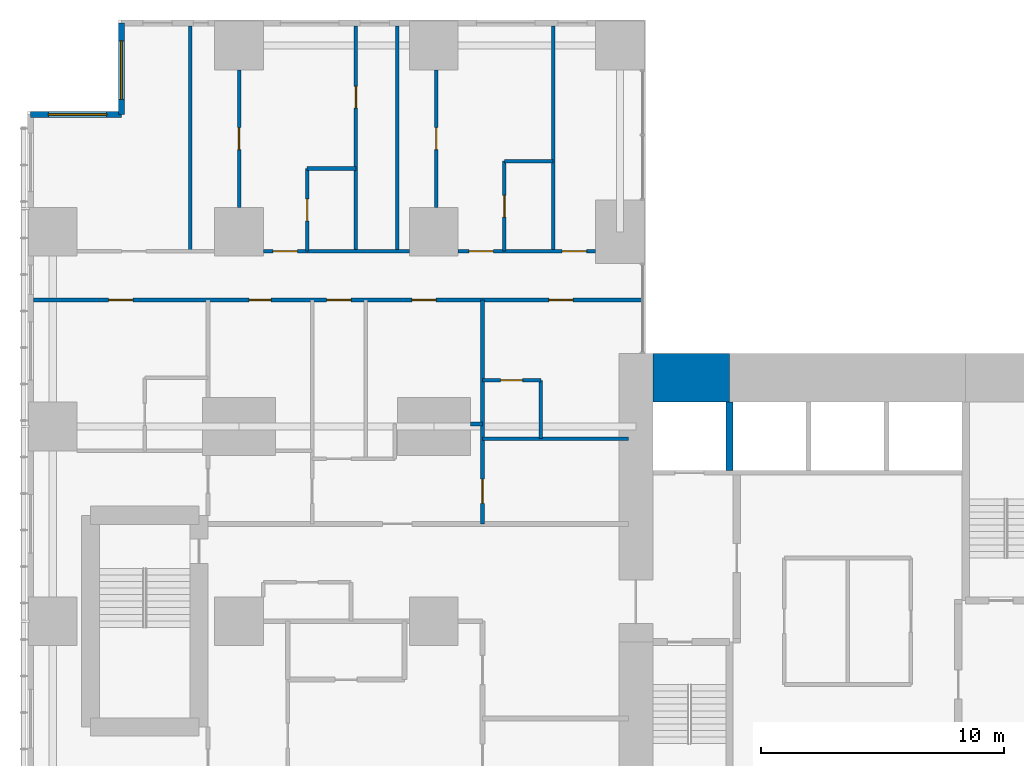
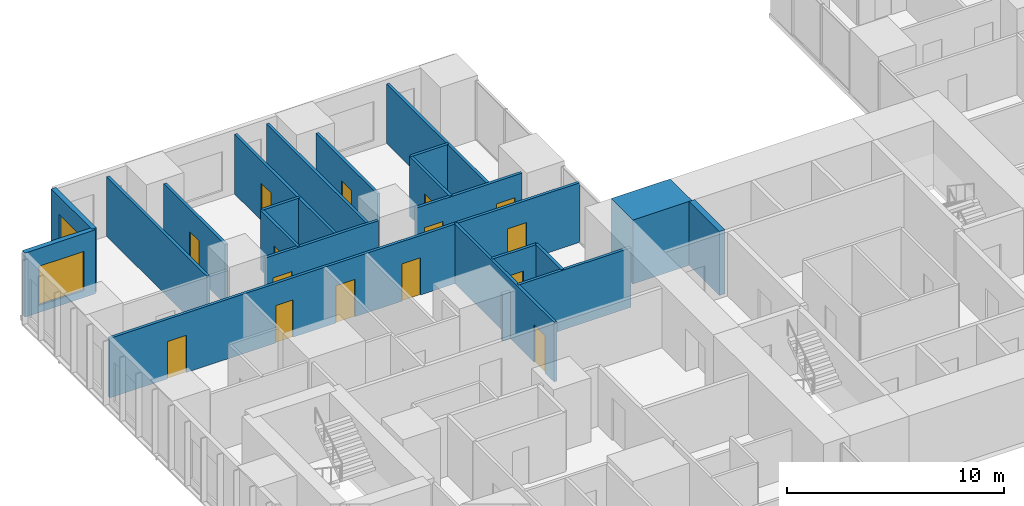
# One storey, part 17 of 21: 22 walls, 15 doors, 2 windows, 17 openings.
"""IFC4 building model written with IfcOpenShell, lengths in metres."""

from ifc_helpers import new_model, si_unit, direction, frame, frame_2d, origin, place, context, subcontext, project, spatial, rectangle, extrude, material, layer, layer_set, type_object, element, fill, save


model = new_model("IFC4")

# Units and contexts
model_context = context("Model", 3, precision=1e-05, world=origin(), true_north=direction((0.0, 1.0)))
body_context = subcontext(model_context, "Body", "Model", "MODEL_VIEW")
ifc_project = project(units=[si_unit("LENGTHUNIT", "METRE"), si_unit("AREAUNIT", "SQUARE_METRE"), si_unit("VOLUMEUNIT", "CUBIC_METRE"), si_unit("PLANEANGLEUNIT", "RADIAN"), si_unit("MASSUNIT", "GRAM", prefix="KILO")], contexts=[model_context])

# Site, building, storey
site_placement = place(None, origin())
site = spatial("IfcSite", under=ifc_project, at=site_placement, CompositionType="ELEMENT")
building_placement = place(site_placement, origin())
building = spatial("IfcBuilding", under=site, at=building_placement, Name="Cleftline Residences", CompositionType="ELEMENT")
storey_placement = place(building_placement, frame((0.0, 0.0, 125.0)))
storey = spatial("IfcBuildingStorey", under=building, at=storey_placement, Name="L32", CompositionType="ELEMENT", Elevation=125.0)

# Walls
ifc_material_1 = material(Name="Concrete B70", Category="concrete")
ifc_layer_1 = layer(ifc_material_1, 2.0)
ifc_layer_set_1 = layer_set([ifc_layer_1], Name="CORE WALL 2000")
wall_type_1 = type_object("IfcWallType", Name="CORE WALL 2000", PredefinedType="SHEAR", material=ifc_layer_set_1)
wall_1_placement = place(storey_placement, frame((25.0, 34.0, 0.0), z_axis=(0.0, 0.0, 1.0), x_axis=(1.0, 0.0, 0.0)))
element("IfcWall", 1, at=wall_1_placement, inside=storey, type_object=wall_type_1, Name="Core wall N1", PredefinedType="SHEAR", context=body_context, shape_type="SweptSolid", body=[
    extrude(rectangle(XDim=3.14990234375, YDim=2.0, at=frame_2d((1.574951171875, 0.0))), origin(), (0.0, 0.0, 1.0), 3.60009765625),
])
ifc_material_2 = material(Name="Concrete B70", Category="concrete")
ifc_layer_2 = layer(ifc_material_2, 0.300048828125)
ifc_layer_set_2 = layer_set([ifc_layer_2], Name="CORE WALL 300")
wall_type_2 = type_object("IfcWallType", Name="CORE WALL 300", PredefinedType="SHEAR", material=ifc_layer_set_2)
wall_2_placement = place(storey_placement, frame((28.14990234375, 30.199951171875, 0.0), z_axis=(0.0, 0.0, 1.0), x_axis=(0.0, 1.0, 0.0)))
element("IfcWall", 2, at=wall_2_placement, inside=storey, type_object=wall_type_2, Name="Lift shaft wall", PredefinedType="SHEAR", context=body_context, shape_type="SweptSolid", body=[
    extrude(rectangle(XDim=2.800048828125, YDim=0.300048828125, at=frame_2d((1.39990234375, 0.0))), origin(), (0.0, 0.0, 1.0), 3.60009765625),
])

# Wall, opening, window
ifc_material_3 = material(Name="Rendered reinforced concrete blockwork", Category="masonry")
ifc_layer_3 = layer(ifc_material_3, 0.25)
ifc_layer_set_3 = layer_set([ifc_layer_3], Name="EXTERNAL WALL 250")
wall_type_3 = type_object("IfcWallType", Name="EXTERNAL WALL 250", PredefinedType="SOLIDWALL", material=ifc_layer_set_3)
wall_3_placement = place(storey_placement, frame((3.175048828125, 48.574951171875, 0.0), z_axis=(0.0, 0.0, 1.0), x_axis=(0.0, -1.0, 0.0)))
wall_3 = element("IfcWall", 3, at=wall_3_placement, inside=storey, type_object=wall_type_3, Name="External wall", PredefinedType="SOLIDWALL", context=body_context, shape_type="SweptSolid", body=[
    extrude(rectangle(XDim=3.75, YDim=0.25, at=frame_2d((1.875, 0.0))), origin(), (0.0, 0.0, 1.0), 3.60009765625),
])
opening_1_placement = place(wall_3_placement, frame((0.737548828125, 0.0, 0.39990234375)))
opening_1 = element("IfcOpeningElement", 4, at=opening_1_placement, cuts=wall_3, Name="Opening W12", PredefinedType="OPENING", context=body_context, shape_type="SweptSolid", body=[
    extrude(rectangle(XDim=2.39990234375, YDim=2.199951171875, at=frame_2d((1.199951171875, 1.10009765625))), frame((0.0, 0.135009765625, 0.0), z_axis=(0.0, -1.0, 0.0), x_axis=(1.0, 0.0, 0.0)), (0.0, 0.0, 1.0), 0.27001953125),
])
ifc_material_4 = material(Name="Aluminium frame, clear double glazing", Category="aluminium")
window_type = type_object("IfcWindowType", Name="WINDOW 2400X2200", PartitioningType="DOUBLE_PANEL_VERTICAL", PredefinedType="WINDOW", material=ifc_material_4)
window_1_placement = place(opening_1_placement, origin())
window_1 = element("IfcWindow", 5, at=window_1_placement, inside=storey, type_object=window_type, Name="Window", OverallHeight=2.199951171875, OverallWidth=2.39990234375, PartitioningType="SINGLE_PANEL", PredefinedType="WINDOW", context=body_context, shape_type="SweptSolid", body=[
    extrude(rectangle(XDim=2.39990234375, YDim=2.199951171875, at=frame_2d((1.199951171875, 1.10009765625))), frame((0.0, 0.030029296875, 0.0), z_axis=(0.0, -1.0, 0.0), x_axis=(1.0, 0.0, 0.0)), (0.0, 0.0, 1.0), 0.06005859375),
])
fill(opening_1, window_1)

wall_4_placement = place(storey_placement, frame((3.175048828125, 44.824951171875, 0.0), z_axis=(0.0, 0.0, 1.0), x_axis=(-1.0, 0.0, 0.0)))
wall_4 = element("IfcWall", 6, at=wall_4_placement, inside=storey, type_object=wall_type_3, Name="External wall", PredefinedType="SOLIDWALL", context=body_context, shape_type="SweptSolid", body=[
    extrude(rectangle(XDim=3.75, YDim=0.25, at=frame_2d((1.875, 0.0))), origin(), (0.0, 0.0, 1.0), 3.60009765625),
])
opening_2_placement = place(wall_4_placement, frame((0.612548828125, 0.0, 0.39990234375)))
opening_2 = element("IfcOpeningElement", 7, at=opening_2_placement, cuts=wall_4, Name="Opening W12", PredefinedType="OPENING", context=body_context, shape_type="SweptSolid", body=[
    extrude(rectangle(XDim=2.39990234375, YDim=2.199951171875, at=frame_2d((1.199951171875, 1.10009765625))), frame((0.0, 0.135009765625, 0.0), z_axis=(0.0, -1.0, 0.0), x_axis=(1.0, 0.0, 0.0)), (0.0, 0.0, 1.0), 0.27001953125),
])
window_2_placement = place(opening_2_placement, origin())
window_2 = element("IfcWindow", 8, at=window_2_placement, inside=storey, type_object=window_type, Name="Window", OverallHeight=2.199951171875, OverallWidth=2.39990234375, PartitioningType="SINGLE_PANEL", PredefinedType="WINDOW", context=body_context, shape_type="SweptSolid", body=[
    extrude(rectangle(XDim=2.39990234375, YDim=2.199951171875, at=frame_2d((1.199951171875, 1.10009765625))), frame((0.0, 0.030029296875, 0.0), z_axis=(0.0, -1.0, 0.0), x_axis=(1.0, 0.0, 0.0)), (0.0, 0.0, 1.0), 0.06005859375),
])
fill(opening_2, window_2)

# Walls
ifc_material_5 = material(Name="Gypsum board on steel studs", Category="steel")
ifc_layer_4 = layer(ifc_material_5, 0.14990234375)
ifc_layer_set_4 = layer_set([ifc_layer_4], Name="PARTITION 150")
wall_type_4 = type_object("IfcWallType", Name="PARTITION 150", PredefinedType="PARTITIONING", material=ifc_layer_set_4)
wall_5_placement = place(storey_placement, frame((18.0, 31.5, 0.0), z_axis=(0.0, 0.0, 1.0), x_axis=(1.0, 0.0, 0.0)))
element("IfcWall", 9, at=wall_5_placement, inside=storey, type_object=wall_type_4, Name="Partition", PredefinedType="PARTITIONING", context=body_context, shape_type="SweptSolid", body=[
    extrude(rectangle(XDim=6.0, YDim=0.14990234375, at=frame_2d((3.0, 0.0))), origin(), (0.0, 0.0, 1.0), 3.35009765625),
])
wall_6_placement = place(storey_placement, frame((17.5, 32.10009765625, 0.0), z_axis=(0.0, 0.0, 1.0), x_axis=(1.0, 0.0, 0.0)))
element("IfcWall", 10, at=wall_6_placement, inside=storey, type_object=wall_type_4, Name="Partition", PredefinedType="PARTITIONING", context=body_context, shape_type="SweptSolid", body=[
    extrude(rectangle(XDim=0.5, YDim=0.14990234375, at=frame_2d((0.25, 0.0))), origin(), (0.0, 0.0, 1.0), 2.634033203125),
])

# Wall, opening, door
wall_7_placement = place(storey_placement, frame((18.0, 33.89990234375, 0.0), z_axis=(0.0, 0.0, 1.0), x_axis=(1.0, 0.0, 0.0)))
wall_7 = element("IfcWall", 11, at=wall_7_placement, inside=storey, type_object=wall_type_4, Name="Partition", PredefinedType="PARTITIONING", context=body_context, shape_type="SweptSolid", body=[
    extrude(rectangle(XDim=2.39990234375, YDim=0.14990234375, at=frame_2d((1.199951171875, 0.0))), origin(), (0.0, 0.0, 1.0), 3.35009765625),
])
opening_3_placement = place(wall_7_placement, frame((0.75, 0.0, 0.0)))
opening_3 = element("IfcOpeningElement", 12, at=opening_3_placement, cuts=wall_7, Name="Opening D1", PredefinedType="OPENING", context=body_context, shape_type="SweptSolid", body=[
    extrude(rectangle(XDim=0.89990234375, YDim=2.10009765625, at=frame_2d((0.449951171875, 1.050048828125))), frame((0.0, 0.0849609375, 0.0), z_axis=(0.0, -1.0, 0.0), x_axis=(1.0, 0.0, 0.0)), (0.0, 0.0, 1.0), 0.169921875),
])
ifc_material_6 = material(Name="Timber veneer on solid core", Category="wood")
door_type_1 = type_object("IfcDoorType", Name="DOOR 900X2100", OperationType="SINGLE_SWING_LEFT", PredefinedType="DOOR", material=ifc_material_6)
door_1_placement = place(opening_3_placement, origin())
door_1 = element("IfcDoor", 13, at=door_1_placement, inside=storey, type_object=door_type_1, Name="Door to staff shower room", OperationType="SINGLE_SWING_LEFT", OverallHeight=2.10009765625, OverallWidth=0.89990234375, PredefinedType="DOOR", context=body_context, shape_type="SweptSolid", body=[
    extrude(rectangle(XDim=0.89990234375, YDim=2.10009765625, at=frame_2d((0.449951171875, 1.050048828125))), frame((0.0, 0.02490234375, 0.0), z_axis=(0.0, -1.0, 0.0), x_axis=(1.0, 0.0, 0.0)), (0.0, 0.0, 1.0), 0.050048828125),
])
fill(opening_3, door_1)

# Wall, openings, doors
wall_8_placement = place(storey_placement, frame((-0.449951171875, 37.199951171875, 0.0), z_axis=(0.0, 0.0, 1.0), x_axis=(1.0, 0.0, 0.0)))
wall_8 = element("IfcWall", 14, at=wall_8_placement, inside=storey, type_object=wall_type_4, Name="Partition", PredefinedType="PARTITIONING", context=body_context, shape_type="SweptSolid", body=[
    extrude(rectangle(XDim=25.010986328125, YDim=0.14990234375, at=frame_2d((12.50537109375, 0.0))), origin(), (0.0, 0.0, 1.0), 3.35009765625),
])
opening_4_placement = place(wall_8_placement, frame((12.050048828125, 0.0, 0.0)))
opening_4 = element("IfcOpeningElement", 15, at=opening_4_placement, cuts=wall_8, Name="Opening D2F30", PredefinedType="OPENING", context=body_context, shape_type="SweptSolid", body=[
    extrude(rectangle(XDim=1.0, YDim=2.10009765625, at=frame_2d((0.5, 1.050048828125))), frame((0.0, 0.0849609375, 0.0), z_axis=(0.0, -1.0, 0.0), x_axis=(1.0, 0.0, 0.0)), (0.0, 0.0, 1.0), 0.169921875),
])
opening_5_placement = place(wall_8_placement, frame((3.08740234375, 0.0, 0.0)))
opening_5 = element("IfcOpeningElement", 16, at=opening_5_placement, cuts=wall_8, Name="Opening D2F30", PredefinedType="OPENING", context=body_context, shape_type="SweptSolid", body=[
    extrude(rectangle(XDim=1.0, YDim=2.10009765625, at=frame_2d((0.5, 1.050048828125))), frame((0.0, 0.0849609375, 0.0), z_axis=(0.0, -1.0, 0.0), x_axis=(1.0, 0.0, 0.0)), (0.0, 0.0, 1.0), 0.169921875),
])
opening_6_placement = place(wall_8_placement, frame((8.862548828125, 0.0, 0.0)))
opening_6 = element("IfcOpeningElement", 17, at=opening_6_placement, cuts=wall_8, Name="Opening D1F30", PredefinedType="OPENING", context=body_context, shape_type="SweptSolid", body=[
    extrude(rectangle(XDim=0.89990234375, YDim=2.10009765625, at=frame_2d((0.449951171875, 1.050048828125))), frame((0.0, 0.0849609375, 0.0), z_axis=(0.0, -1.0, 0.0), x_axis=(1.0, 0.0, 0.0)), (0.0, 0.0, 1.0), 0.169921875),
])
opening_7_placement = place(wall_8_placement, frame((15.550048828125, 0.0, 0.0)))
opening_7 = element("IfcOpeningElement", 18, at=opening_7_placement, cuts=wall_8, Name="Opening D2F30", PredefinedType="OPENING", context=body_context, shape_type="SweptSolid", body=[
    extrude(rectangle(XDim=1.0, YDim=2.10009765625, at=frame_2d((0.5, 1.050048828125))), frame((0.0, 0.0849609375, 0.0), z_axis=(0.0, -1.0, 0.0), x_axis=(1.0, 0.0, 0.0)), (0.0, 0.0, 1.0), 0.169921875),
])
opening_8_placement = place(wall_8_placement, frame((21.175048828125, 0.0, 0.0)))
opening_8 = element("IfcOpeningElement", 19, at=opening_8_placement, cuts=wall_8, Name="Opening D2F30", PredefinedType="OPENING", context=body_context, shape_type="SweptSolid", body=[
    extrude(rectangle(XDim=1.0, YDim=2.10009765625, at=frame_2d((0.5, 1.050048828125))), frame((0.0, 0.0849609375, 0.0), z_axis=(0.0, -1.0, 0.0), x_axis=(1.0, 0.0, 0.0)), (0.0, 0.0, 1.0), 0.169921875),
])
ifc_material_7 = material(Name="Timber veneer on solid core", Category="wood")
door_type_2 = type_object("IfcDoorType", Name="DOOR 1000X2100 EI 30", OperationType="SINGLE_SWING_LEFT", PredefinedType="DOOR", material=ifc_material_7)
door_2_placement = place(opening_4_placement, origin())
door_2 = element("IfcDoor", 20, at=door_2_placement, inside=storey, type_object=door_type_2, Name="Door to residence corridor (bedrooms)", OperationType="SINGLE_SWING_LEFT", OverallHeight=2.10009765625, OverallWidth=1.0, PredefinedType="DOOR", context=body_context, shape_type="SweptSolid", body=[
    extrude(rectangle(XDim=1.0, YDim=2.10009765625, at=frame_2d((0.5, 1.050048828125))), frame((0.0, 0.02490234375, 0.0), z_axis=(0.0, -1.0, 0.0), x_axis=(1.0, 0.0, 0.0)), (0.0, 0.0, 1.0), 0.050048828125),
])
fill(opening_4, door_2)
door_3_placement = place(opening_5_placement, origin())
door_3 = element("IfcDoor", 21, at=door_3_placement, inside=storey, type_object=door_type_2, Name="Door to master bedroom", OperationType="SINGLE_SWING_RIGHT", OverallHeight=2.10009765625, OverallWidth=1.0, PredefinedType="DOOR", context=body_context, shape_type="SweptSolid", body=[
    extrude(rectangle(XDim=1.0, YDim=2.10009765625, at=frame_2d((0.5, 1.050048828125))), frame((0.0, 0.02490234375, 0.0), z_axis=(0.0, -1.0, 0.0), x_axis=(1.0, 0.0, 0.0)), (0.0, 0.0, 1.0), 0.050048828125),
])
fill(opening_5, door_3)
door_4_placement = place(opening_7_placement, origin())
door_4 = element("IfcDoor", 22, at=door_4_placement, inside=storey, type_object=door_type_2, Name="Door to family room", OperationType="SINGLE_SWING_LEFT", OverallHeight=2.10009765625, OverallWidth=1.0, PredefinedType="DOOR", context=body_context, shape_type="SweptSolid", body=[
    extrude(rectangle(XDim=1.0, YDim=2.10009765625, at=frame_2d((0.5, 1.050048828125))), frame((0.0, 0.02490234375, 0.0), z_axis=(0.0, -1.0, 0.0), x_axis=(1.0, 0.0, 0.0)), (0.0, 0.0, 1.0), 0.050048828125),
])
fill(opening_7, door_4)
door_5_placement = place(opening_8_placement, origin())
door_5 = element("IfcDoor", 23, at=door_5_placement, inside=storey, type_object=door_type_2, Name="Door to staff bedroom", OperationType="SINGLE_SWING_LEFT", OverallHeight=2.10009765625, OverallWidth=1.0, PredefinedType="DOOR", context=body_context, shape_type="SweptSolid", body=[
    extrude(rectangle(XDim=1.0, YDim=2.10009765625, at=frame_2d((0.5, 1.050048828125))), frame((0.0, 0.02490234375, 0.0), z_axis=(0.0, -1.0, 0.0), x_axis=(1.0, 0.0, 0.0)), (0.0, 0.0, 1.0), 0.050048828125),
])
fill(opening_8, door_5)
ifc_material_8 = material(Name="Timber veneer on solid core", Category="wood")
door_type_3 = type_object("IfcDoorType", Name="DOOR 900X2100 EI 30", OperationType="SINGLE_SWING_LEFT", PredefinedType="DOOR", material=ifc_material_8)
door_6_placement = place(opening_6_placement, origin())
door_6 = element("IfcDoor", 24, at=door_6_placement, inside=storey, type_object=door_type_3, Name="Door to guest bathroom", OperationType="SINGLE_SWING_RIGHT", OverallHeight=2.10009765625, OverallWidth=0.89990234375, PredefinedType="DOOR", context=body_context, shape_type="SweptSolid", body=[
    extrude(rectangle(XDim=0.89990234375, YDim=2.10009765625, at=frame_2d((0.449951171875, 1.050048828125))), frame((0.0, 0.02490234375, 0.0), z_axis=(0.0, -1.0, 0.0), x_axis=(1.0, 0.0, 0.0)), (0.0, 0.0, 1.0), 0.050048828125),
])
fill(opening_6, door_6)

# Wall, opening, door
wall_9_placement = place(storey_placement, frame((9.0, 39.199951171875, 0.0), z_axis=(0.0, 0.0, 1.0), x_axis=(1.0, 0.0, 0.0)))
wall_9 = element("IfcWall", 25, at=wall_9_placement, inside=storey, type_object=wall_type_4, Name="Partition", PredefinedType="PARTITIONING", context=body_context, shape_type="SweptSolid", body=[
    extrude(rectangle(XDim=6.0, YDim=0.14990234375, at=frame_2d((3.0, 0.0))), origin(), (0.0, 0.0, 1.0), 3.35009765625),
])
opening_9_placement = place(wall_9_placement, frame((0.39990234375, 0.0, 0.0)))
opening_9 = element("IfcOpeningElement", 26, at=opening_9_placement, cuts=wall_9, Name="Opening D2", PredefinedType="OPENING", context=body_context, shape_type="SweptSolid", body=[
    extrude(rectangle(XDim=1.0, YDim=2.10009765625, at=frame_2d((0.5, 1.050048828125))), frame((0.0, 0.0849609375, 0.0), z_axis=(0.0, -1.0, 0.0), x_axis=(1.0, 0.0, 0.0)), (0.0, 0.0, 1.0), 0.169921875),
])
ifc_material_9 = material(Name="Timber veneer on solid core", Category="wood")
door_type_4 = type_object("IfcDoorType", Name="DOOR 1000X2100", OperationType="SINGLE_SWING_LEFT", PredefinedType="DOOR", material=ifc_material_9)
door_7_placement = place(opening_9_placement, origin())
door_7 = element("IfcDoor", 27, at=door_7_placement, inside=storey, type_object=door_type_4, Name="Door to bedroom 2", OperationType="SINGLE_SWING_RIGHT", OverallHeight=2.10009765625, OverallWidth=1.0, PredefinedType="DOOR", context=body_context, shape_type="SweptSolid", body=[
    extrude(rectangle(XDim=1.0, YDim=2.10009765625, at=frame_2d((0.5, 1.050048828125))), frame((0.0, 0.02490234375, 0.0), z_axis=(0.0, -1.0, 0.0), x_axis=(1.0, 0.0, 0.0)), (0.0, 0.0, 1.0), 0.050048828125),
])
fill(opening_9, door_7)

# Wall, openings, doors
wall_10_placement = place(storey_placement, frame((17.0, 39.199951171875, 0.0), z_axis=(0.0, 0.0, 1.0), x_axis=(1.0, 0.0, 0.0)))
wall_10 = element("IfcWall", 28, at=wall_10_placement, inside=storey, type_object=wall_type_4, Name="Partition", PredefinedType="PARTITIONING", context=body_context, shape_type="SweptSolid", body=[
    extrude(rectangle(XDim=5.64990234375, YDim=0.14990234375, at=frame_2d((2.824951171875, 0.0))), origin(), (0.0, 0.0, 1.0), 3.35009765625),
])
opening_10_placement = place(wall_10_placement, frame((0.449951171875, 0.0, 0.0)))
opening_10 = element("IfcOpeningElement", 29, at=opening_10_placement, cuts=wall_10, Name="Opening D2", PredefinedType="OPENING", context=body_context, shape_type="SweptSolid", body=[
    extrude(rectangle(XDim=1.0, YDim=2.10009765625, at=frame_2d((0.5, 1.050048828125))), frame((0.0, 0.0849609375, 0.0), z_axis=(0.0, -1.0, 0.0), x_axis=(1.0, 0.0, 0.0)), (0.0, 0.0, 1.0), 0.169921875),
])
opening_11_placement = place(wall_10_placement, frame((4.27490234375, 0.0, 0.0)))
opening_11 = element("IfcOpeningElement", 30, at=opening_11_placement, cuts=wall_10, Name="Opening D2", PredefinedType="OPENING", context=body_context, shape_type="SweptSolid", body=[
    extrude(rectangle(XDim=1.0, YDim=2.10009765625, at=frame_2d((0.5, 1.050048828125))), frame((0.0, 0.0849609375, 0.0), z_axis=(0.0, -1.0, 0.0), x_axis=(1.0, 0.0, 0.0)), (0.0, 0.0, 1.0), 0.169921875),
])
door_8_placement = place(opening_10_placement, origin())
door_8 = element("IfcDoor", 31, at=door_8_placement, inside=storey, type_object=door_type_4, Name="Door to bedroom 3", OperationType="SINGLE_SWING_RIGHT", OverallHeight=2.10009765625, OverallWidth=1.0, PredefinedType="DOOR", context=body_context, shape_type="SweptSolid", body=[
    extrude(rectangle(XDim=1.0, YDim=2.10009765625, at=frame_2d((0.5, 1.050048828125))), frame((0.0, 0.02490234375, 0.0), z_axis=(0.0, -1.0, 0.0), x_axis=(1.0, 0.0, 0.0)), (0.0, 0.0, 1.0), 0.050048828125),
])
fill(opening_10, door_8)
door_9_placement = place(opening_11_placement, origin())
door_9 = element("IfcDoor", 32, at=door_9_placement, inside=storey, type_object=door_type_4, Name="Door to bedroom 3 sitting room", OperationType="SINGLE_SWING_LEFT", OverallHeight=2.10009765625, OverallWidth=1.0, PredefinedType="DOOR", context=body_context, shape_type="SweptSolid", body=[
    extrude(rectangle(XDim=1.0, YDim=2.10009765625, at=frame_2d((0.5, 1.050048828125))), frame((0.0, 0.02490234375, 0.0), z_axis=(0.0, -1.0, 0.0), x_axis=(1.0, 0.0, 0.0)), (0.0, 0.0, 1.0), 0.050048828125),
])
fill(opening_11, door_9)

# Walls
for number, where, z_axis, x_axis, name in (
    (33, (10.800048828125, 42.60009765625, 0.0), (0.0, 0.0, 1.0), (1.0, 0.0, 0.0), "Partition"),
    (34, (18.89990234375, 42.89990234375, 0.0), (0.0, 0.0, 1.0), (1.0, 0.0, 0.0), "Partition"),
):
    element("IfcWall", number, at=place(storey_placement, frame(where, z_axis=z_axis, x_axis=x_axis)), inside=storey, type_object=wall_type_4, Name=name, PredefinedType="PARTITIONING", context=body_context, shape_type="SweptSolid", body=[
        extrude(rectangle(XDim=2.0, YDim=0.14990234375, at=frame_2d((1.0, 0.0))), origin(), (0.0, 0.0, 1.0), 3.35009765625),
    ])
wall_11_placement = place(storey_placement, frame((6.0, 39.199951171875, 0.0), z_axis=(0.0, 0.0, 1.0), x_axis=(0.0, 1.0, 0.0)))
element("IfcWall", 35, at=wall_11_placement, inside=storey, type_object=wall_type_4, Name="Partition", PredefinedType="PARTITIONING", context=body_context, shape_type="SweptSolid", body=[
    extrude(rectangle(XDim=9.25, YDim=0.14990234375, at=frame_2d((4.625, 0.0))), origin(), (0.0, 0.0, 1.0), 3.35009765625),
])

# Wall, opening, door
wall_12_placement = place(storey_placement, frame((8.0, 41.0, 0.0), z_axis=(0.0, 0.0, 1.0), x_axis=(0.0, 1.0, 0.0)))
wall_12 = element("IfcWall", 36, at=wall_12_placement, inside=storey, type_object=wall_type_4, Name="Partition", PredefinedType="PARTITIONING", context=body_context, shape_type="SweptSolid", body=[
    extrude(rectangle(XDim=5.64990234375, YDim=0.14990234375, at=frame_2d((2.824951171875, 0.0))), origin(), (0.0, 0.0, 1.0), 3.35009765625),
])
opening_12_placement = place(wall_12_placement, frame((2.375, 0.0, 0.0)))
opening_12 = element("IfcOpeningElement", 37, at=opening_12_placement, cuts=wall_12, Name="Opening D1", PredefinedType="OPENING", context=body_context, shape_type="SweptSolid", body=[
    extrude(rectangle(XDim=0.89990234375, YDim=2.10009765625, at=frame_2d((0.449951171875, 1.050048828125))), frame((0.0, 0.0849609375, 0.0), z_axis=(0.0, -1.0, 0.0), x_axis=(1.0, 0.0, 0.0)), (0.0, 0.0, 1.0), 0.169921875),
])
door_10_placement = place(opening_12_placement, origin())
door_10 = element("IfcDoor", 38, at=door_10_placement, inside=storey, type_object=door_type_1, Name="Door to walk-in wardrobe", OperationType="SINGLE_SWING_LEFT", OverallHeight=2.10009765625, OverallWidth=0.89990234375, PredefinedType="DOOR", context=body_context, shape_type="SweptSolid", body=[
    extrude(rectangle(XDim=0.89990234375, YDim=2.10009765625, at=frame_2d((0.449951171875, 1.050048828125))), frame((0.0, 0.02490234375, 0.0), z_axis=(0.0, -1.0, 0.0), x_axis=(1.0, 0.0, 0.0)), (0.0, 0.0, 1.0), 0.050048828125),
])
fill(opening_12, door_10)

wall_13_placement = place(storey_placement, frame((10.800048828125, 39.199951171875, 0.0), z_axis=(0.0, 0.0, 1.0), x_axis=(0.0, 1.0, 0.0)))
wall_13 = element("IfcWall", 39, at=wall_13_placement, inside=storey, type_object=wall_type_4, Name="Partition", PredefinedType="PARTITIONING", context=body_context, shape_type="SweptSolid", body=[
    extrude(rectangle(XDim=3.400146484375, YDim=0.14990234375, at=frame_2d((1.7001953125, 0.0))), origin(), (0.0, 0.0, 1.0), 3.35009765625),
])
opening_13_placement = place(wall_13_placement, frame((1.25, 0.0, 0.0)))
opening_13 = element("IfcOpeningElement", 40, at=opening_13_placement, cuts=wall_13, Name="Opening D1", PredefinedType="OPENING", context=body_context, shape_type="SweptSolid", body=[
    extrude(rectangle(XDim=0.89990234375, YDim=2.10009765625, at=frame_2d((0.449951171875, 1.050048828125))), frame((0.0, 0.0849609375, 0.0), z_axis=(0.0, -1.0, 0.0), x_axis=(1.0, 0.0, 0.0)), (0.0, 0.0, 1.0), 0.169921875),
])
door_11_placement = place(opening_13_placement, origin())
door_11 = element("IfcDoor", 41, at=door_11_placement, inside=storey, type_object=door_type_1, Name="Door to en-suite bathroom 2", OperationType="SINGLE_SWING_LEFT", OverallHeight=2.10009765625, OverallWidth=0.89990234375, PredefinedType="DOOR", context=body_context, shape_type="SweptSolid", body=[
    extrude(rectangle(XDim=0.89990234375, YDim=2.10009765625, at=frame_2d((0.449951171875, 1.050048828125))), frame((0.0, 0.02490234375, 0.0), z_axis=(0.0, -1.0, 0.0), x_axis=(1.0, 0.0, 0.0)), (0.0, 0.0, 1.0), 0.050048828125),
])
fill(opening_13, door_11)

wall_14_placement = place(storey_placement, frame((12.800048828125, 39.199951171875, 0.0), z_axis=(0.0, 0.0, 1.0), x_axis=(0.0, 1.0, 0.0)))
wall_14 = element("IfcWall", 42, at=wall_14_placement, inside=storey, type_object=wall_type_4, Name="Partition", PredefinedType="PARTITIONING", context=body_context, shape_type="SweptSolid", body=[
    extrude(rectangle(XDim=9.25, YDim=0.14990234375, at=frame_2d((4.625, 0.0))), origin(), (0.0, 0.0, 1.0), 3.35009765625),
])
opening_14_placement = place(wall_14_placement, frame((5.875, 0.0, 0.0)))
opening_14 = element("IfcOpeningElement", 43, at=opening_14_placement, cuts=wall_14, Name="Opening D1", PredefinedType="OPENING", context=body_context, shape_type="SweptSolid", body=[
    extrude(rectangle(XDim=0.89990234375, YDim=2.10009765625, at=frame_2d((0.449951171875, 1.050048828125))), frame((0.0, 0.0849609375, 0.0), z_axis=(0.0, -1.0, 0.0), x_axis=(1.0, 0.0, 0.0)), (0.0, 0.0, 1.0), 0.169921875),
])
door_12_placement = place(opening_14_placement, origin())
door_12 = element("IfcDoor", 44, at=door_12_placement, inside=storey, type_object=door_type_1, Name="Door to walk-in wardrobe", OperationType="SINGLE_SWING_LEFT", OverallHeight=2.10009765625, OverallWidth=0.89990234375, PredefinedType="DOOR", context=body_context, shape_type="SweptSolid", body=[
    extrude(rectangle(XDim=0.89990234375, YDim=2.10009765625, at=frame_2d((0.449951171875, 1.050048828125))), frame((0.0, 0.02490234375, 0.0), z_axis=(0.0, -1.0, 0.0), x_axis=(1.0, 0.0, 0.0)), (0.0, 0.0, 1.0), 0.050048828125),
])
fill(opening_14, door_12)

# Wall
wall_15_placement = place(storey_placement, frame((14.5, 39.199951171875, 0.0), z_axis=(0.0, 0.0, 1.0), x_axis=(0.0, 1.0, 0.0)))
element("IfcWall", 45, at=wall_15_placement, inside=storey, type_object=wall_type_4, Name="Partition", PredefinedType="PARTITIONING", context=body_context, shape_type="SweptSolid", body=[
    extrude(rectangle(XDim=9.25, YDim=0.14990234375, at=frame_2d((4.625, 0.0))), origin(), (0.0, 0.0, 1.0), 3.35009765625),
])

# Wall, opening, door
wall_16_placement = place(storey_placement, frame((16.10009765625, 41.0, 0.0), z_axis=(0.0, 0.0, 1.0), x_axis=(0.0, 1.0, 0.0)))
wall_16 = element("IfcWall", 46, at=wall_16_placement, inside=storey, type_object=wall_type_4, Name="Partition", PredefinedType="PARTITIONING", context=body_context, shape_type="SweptSolid", body=[
    extrude(rectangle(XDim=5.64990234375, YDim=0.14990234375, at=frame_2d((2.824951171875, 0.0))), origin(), (0.0, 0.0, 1.0), 3.35009765625),
])
opening_15_placement = place(wall_16_placement, frame((2.375, 0.0, 0.0)))
opening_15 = element("IfcOpeningElement", 47, at=opening_15_placement, cuts=wall_16, Name="Opening D1", PredefinedType="OPENING", context=body_context, shape_type="SweptSolid", body=[
    extrude(rectangle(XDim=0.89990234375, YDim=2.10009765625, at=frame_2d((0.449951171875, 1.050048828125))), frame((0.0, 0.0849609375, 0.0), z_axis=(0.0, -1.0, 0.0), x_axis=(1.0, 0.0, 0.0)), (0.0, 0.0, 1.0), 0.169921875),
])
door_13_placement = place(opening_15_placement, origin())
door_13 = element("IfcDoor", 48, at=door_13_placement, inside=storey, type_object=door_type_1, Name="Door to walk-in wardrobe", OperationType="SINGLE_SWING_LEFT", OverallHeight=2.10009765625, OverallWidth=0.89990234375, PredefinedType="DOOR", context=body_context, shape_type="SweptSolid", body=[
    extrude(rectangle(XDim=0.89990234375, YDim=2.10009765625, at=frame_2d((0.449951171875, 1.050048828125))), frame((0.0, 0.02490234375, 0.0), z_axis=(0.0, -1.0, 0.0), x_axis=(1.0, 0.0, 0.0)), (0.0, 0.0, 1.0), 0.050048828125),
])
fill(opening_15, door_13)

wall_17_placement = place(storey_placement, frame((18.0, 28.0, 0.0), z_axis=(0.0, 0.0, 1.0), x_axis=(0.0, 1.0, 0.0)))
wall_17 = element("IfcWall", 49, at=wall_17_placement, inside=storey, type_object=wall_type_4, Name="Partition", PredefinedType="PARTITIONING", context=body_context, shape_type="SweptSolid", body=[
    extrude(rectangle(XDim=9.199951171875, YDim=0.14990234375, at=frame_2d((4.60009765625, 0.0))), origin(), (0.0, 0.0, 1.0), 3.35009765625),
])
opening_16_placement = place(wall_17_placement, frame((0.83740234375, 0.0, 0.0)))
opening_16 = element("IfcOpeningElement", 50, at=opening_16_placement, cuts=wall_17, Name="Opening D2", PredefinedType="OPENING", context=body_context, shape_type="SweptSolid", body=[
    extrude(rectangle(XDim=1.0, YDim=2.10009765625, at=frame_2d((0.5, 1.050048828125))), frame((0.0, 0.0849609375, 0.0), z_axis=(0.0, -1.0, 0.0), x_axis=(1.0, 0.0, 0.0)), (0.0, 0.0, 1.0), 0.169921875),
])
door_14_placement = place(opening_16_placement, origin())
door_14 = element("IfcDoor", 51, at=door_14_placement, inside=storey, type_object=door_type_4, Name="Door to morning kitchen", OperationType="SINGLE_SWING_RIGHT", OverallHeight=2.10009765625, OverallWidth=1.0, PredefinedType="DOOR", context=body_context, shape_type="SweptSolid", body=[
    extrude(rectangle(XDim=1.0, YDim=2.10009765625, at=frame_2d((0.5, 1.050048828125))), frame((0.0, 0.02490234375, 0.0), z_axis=(0.0, -1.0, 0.0), x_axis=(1.0, 0.0, 0.0)), (0.0, 0.0, 1.0), 0.050048828125),
])
fill(opening_16, door_14)

wall_18_placement = place(storey_placement, frame((18.89990234375, 39.199951171875, 0.0), z_axis=(0.0, 0.0, 1.0), x_axis=(0.0, 1.0, 0.0)))
wall_18 = element("IfcWall", 52, at=wall_18_placement, inside=storey, type_object=wall_type_4, Name="Partition", PredefinedType="PARTITIONING", context=body_context, shape_type="SweptSolid", body=[
    extrude(rectangle(XDim=3.699951171875, YDim=0.14990234375, at=frame_2d((1.85009765625, 0.0))), origin(), (0.0, 0.0, 1.0), 3.35009765625),
])
opening_17_placement = place(wall_18_placement, frame((1.39990234375, 0.0, 0.0)))
opening_17 = element("IfcOpeningElement", 53, at=opening_17_placement, cuts=wall_18, Name="Opening D1", PredefinedType="OPENING", context=body_context, shape_type="SweptSolid", body=[
    extrude(rectangle(XDim=0.89990234375, YDim=2.10009765625, at=frame_2d((0.449951171875, 1.050048828125))), frame((0.0, 0.0849609375, 0.0), z_axis=(0.0, -1.0, 0.0), x_axis=(1.0, 0.0, 0.0)), (0.0, 0.0, 1.0), 0.169921875),
])
door_15_placement = place(opening_17_placement, origin())
door_15 = element("IfcDoor", 54, at=door_15_placement, inside=storey, type_object=door_type_1, Name="Door to en-suite bathroom 3", OperationType="SINGLE_SWING_LEFT", OverallHeight=2.10009765625, OverallWidth=0.89990234375, PredefinedType="DOOR", context=body_context, shape_type="SweptSolid", body=[
    extrude(rectangle(XDim=0.89990234375, YDim=2.10009765625, at=frame_2d((0.449951171875, 1.050048828125))), frame((0.0, 0.02490234375, 0.0), z_axis=(0.0, -1.0, 0.0), x_axis=(1.0, 0.0, 0.0)), (0.0, 0.0, 1.0), 0.050048828125),
])
fill(opening_17, door_15)

# Walls
wall_19_placement = place(storey_placement, frame((20.39990234375, 31.5, 0.0), z_axis=(0.0, 0.0, 1.0), x_axis=(0.0, 1.0, 0.0)))
element("IfcWall", 55, at=wall_19_placement, inside=storey, type_object=wall_type_4, Name="Partition", PredefinedType="PARTITIONING", context=body_context, shape_type="SweptSolid", body=[
    extrude(rectangle(XDim=2.39990234375, YDim=0.14990234375, at=frame_2d((1.199951171875, 0.0))), origin(), (0.0, 0.0, 1.0), 3.35009765625),
])
wall_20_placement = place(storey_placement, frame((20.89990234375, 39.199951171875, 0.0), z_axis=(0.0, 0.0, 1.0), x_axis=(0.0, 1.0, 0.0)))
element("IfcWall", 56, at=wall_20_placement, inside=storey, type_object=wall_type_4, Name="Partition", PredefinedType="PARTITIONING", context=body_context, shape_type="SweptSolid", body=[
    extrude(rectangle(XDim=9.25, YDim=0.14990234375, at=frame_2d((4.625, 0.0))), origin(), (0.0, 0.0, 1.0), 3.35009765625),
])

save(model, "model.ifc")
